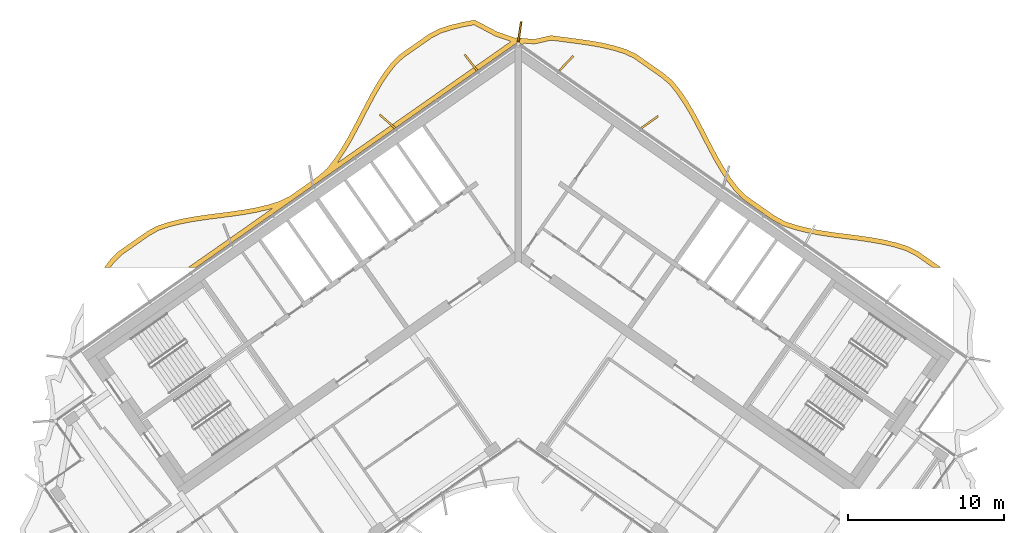
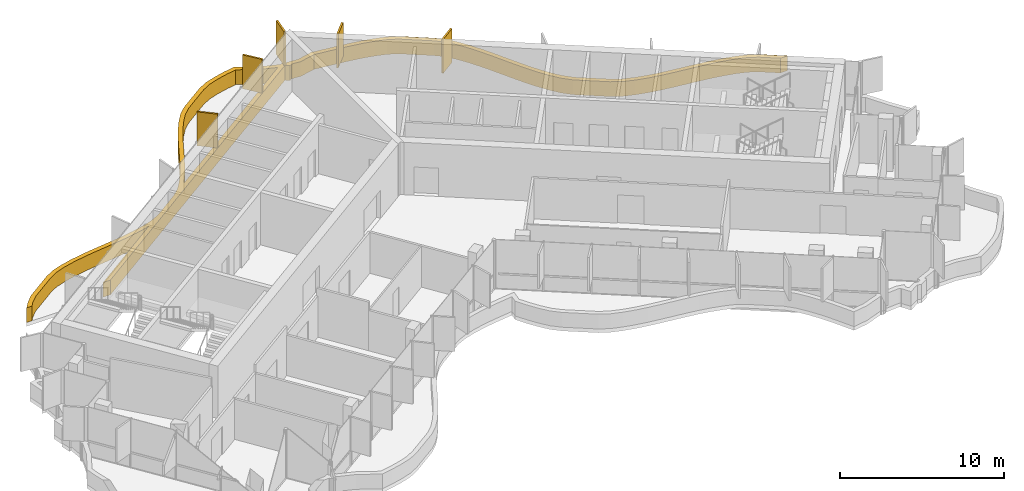
# One storey, part 18 of 18: 6 shading devices.
"""IFC4 building model written with IfcOpenShell, lengths in metres."""

from ifc_helpers import new_model, si_unit, direction, frame, origin, origin_2d, place, context, subcontext, project, spatial, polyline, rectangle, outline, extrude, material, layer, layer_set, type_object, element, save


model = new_model("IFC4")

# Units and contexts
model_context = context("Model", 3, precision=1e-05, world=origin(), true_north=direction((0.0, 1.0)))
body_context = subcontext(model_context, "Body", "Model", "MODEL_VIEW")
ifc_project = project(units=[si_unit("LENGTHUNIT", "METRE"), si_unit("AREAUNIT", "SQUARE_METRE"), si_unit("VOLUMEUNIT", "CUBIC_METRE"), si_unit("PLANEANGLEUNIT", "RADIAN"), si_unit("MASSUNIT", "GRAM", prefix="KILO")], contexts=[model_context])

# Site, building, storey
site_placement = place(None, origin())
site = spatial("IfcSite", under=ifc_project, at=site_placement, CompositionType="ELEMENT")
building_placement = place(site_placement, origin())
building = spatial("IfcBuilding", under=site, at=building_placement, Name="Tel Ilan Convention Tower", CompositionType="ELEMENT")
storey_placement = place(building_placement, frame((0.0, 0.0, 299.5)))
storey = spatial("IfcBuildingStorey", under=building, at=storey_placement, Name="L71", CompositionType="ELEMENT", Elevation=299.5)

# Shading devices
ifc_material_1 = material(Name="Aluminium, bronze anodised", Category="aluminium")
ifc_layer_1 = layer(ifc_material_1, 0.1201171875)
ifc_layer_set_1 = layer_set([ifc_layer_1], Name="FIN BRONZE 1300x120")
shading_device_type_1 = type_object("IfcShadingDeviceType", Name="FIN BRONZE 1300x120", PredefinedType="USERDEFINED", material=ifc_layer_set_1)
for number, where, z_axis, x_axis, name in (
    (1, (8.437744140625, 7.681884765625, 1.10009765625), (0.0, 0.0, 1.0), (0.813552070258, 0.581492071294, 0.0), "FIN"),
    (2, (3.08349609375, 11.454345703125, 1.10009765625), (0.0, 0.0, 1.0), (0.686241637865, 0.727373641577, 0.0), "FIN"),
    (3, (0.09423828125, 13.469482421875, 1.10009765625), (0.0, 0.0, 1.0), (0.144931859301, 0.989441638582, 0.0), "FIN"),
    (4, (-3.0322265625, 11.490478515625, 1.10009765625), (0.0, 0.0, 1.0), (-0.612600545196, 0.790392669516, 0.0), "FIN"),
    (5, (-8.3955078125, 7.726806640625, 1.10009765625), (0.0, 0.0, 1.0), (-0.753435896329, 0.657521368568, 0.0), "FIN"),
):
    element("IfcShadingDevice", number, at=place(storey_placement, frame(where, z_axis=z_axis, x_axis=x_axis)), inside=storey, type_object=shading_device_type_1, Name=name, ObjectType="FIN", PredefinedType="USERDEFINED", context=body_context, shape_type="SweptSolid", body=[
        extrude(rectangle(XDim=1.300048828125, YDim=0.1201171875, at=origin_2d()), origin(), (0.0, 0.0, 1.0), 2.52001953125),
    ])
ifc_material_2 = material(Name="Aluminium, bronze anodised", Category="aluminium")
ifc_layer_2 = layer(ifc_material_2, 0.300048828125)
ifc_layer_set_2 = layer_set([ifc_layer_2], Name="LOUVRE BAND 300x1100")
shading_device_type_2 = type_object("IfcShadingDeviceType", Name="LOUVRE BAND 300x1100", PredefinedType="USERDEFINED", material=ifc_layer_set_2)
shading_device_placement = place(storey_placement, origin())
element("IfcShadingDevice", 6, at=shading_device_placement, inside=storey, type_object=shading_device_type_2, Name="LOUVRE BAND 54.02", ObjectType="LOUVRE", PredefinedType="USERDEFINED", context=body_context, shape_type="SweptSolid", body=[
    extrude(outline(polyline([(-26.1787109375, -1.1572265625), (-26.535888671875, -1.631591796875), (-26.160400390625, -1.631591796875), (-25.951416015625, -1.35400390625), (-25.457275390625, -0.856689453125), (-23.680908203125, 0.38720703125), (-23.075439453125, 0.7314453125), (-22.38525390625, 0.962158203125), (-21.640625, 1.14990234375), (-20.86181640625, 1.298828125), (-20.0576171875, 1.420166015625), (-18.409423828125, 1.63232421875), (-17.585205078125, 1.750732421875), (-16.773193359375, 1.89599609375), (-15.982666015625, 2.081298828125), (-15.75634765625, 2.151611328125), (-21.159423828125, -1.631591796875), (-20.63623046875, -1.631591796875), (0.0, 12.818115234375), (0.261474609375, 12.635009765625), (0.4140625, 12.741943359375), (1.040771484375, 12.687744140625), (2.10400390625, 12.9296875), (3.699462890625, 12.72509765625), (4.510009765625, 12.60986328125), (5.2978515625, 12.47119140625), (6.054443359375, 12.297119140625), (6.765625, 12.080078125), (7.40185546875, 11.785888671875), (9.17822265625, 10.5419921875), (9.708740234375, 10.0908203125), (10.16162109375, 9.521240234375), (10.5927734375, 8.885498046875), (10.9990234375, 8.204833984375), (11.38818359375, 7.49072265625), (12.151123046875, 6.014404296875), (12.54443359375, 5.2802734375), (12.958740234375, 4.567138671875), (13.403076171875, 3.8876953125), (13.891357421875, 3.245849609375), (14.459716796875, 2.693359375), (16.302978515625, 1.40283203125), (16.991455078125, 1.02587890625), (17.759521484375, 0.773681640625), (18.544921875, 0.579345703125), (19.353271484375, 0.42724609375), (20.176025390625, 0.3046875), (21.826416015625, 0.092529296875), (22.634765625, -0.025146484375), (23.4189453125, -0.167724609375), (24.1708984375, -0.34716796875), (24.873291015625, -0.569580078125), (25.496826171875, -0.88427734375), (26.56396484375, -1.631591796875), (27.087158203125, -1.631591796875), (25.6513671875, -0.626220703125), (24.987060546875, -0.290771484375), (24.2509765625, -0.057861328125), (23.480712890625, 0.1259765625), (22.68310546875, 0.27099609375), (21.8671875, 0.3896484375), (20.21728515625, 0.601806640625), (19.4033203125, 0.72314453125), (18.60888671875, 0.87255859375), (17.842529296875, 1.062255859375), (17.111328125, 1.30224609375), (16.46142578125, 1.657958984375), (14.6513671875, 2.92529296875), (14.116455078125, 3.4453125), (13.648193359375, 4.060791015625), (13.214111328125, 4.724609375), (12.806396484375, 5.426513671875), (12.416748046875, 6.154052734375), (11.653076171875, 7.631591796875), (11.259521484375, 8.353515625), (10.845947265625, 9.046875), (10.403564453125, 9.69921875), (9.925537109375, 10.300537109375), (9.36181640625, 10.77978515625), (7.552001953125, 12.047119140625), (6.872802734375, 12.361083984375), (6.132080078125, 12.587158203125), (5.357666015625, 12.765380859375), (4.55712890625, 12.90625), (3.739501953125, 13.0224609375), (2.08935546875, 13.234130859375), (1.02001953125, 12.99072265625), (0.168701171875, 13.059326171875), (0.11474609375, 13.09521484375), (0.0, 13.1181640625), (-0.11474609375, 13.09521484375), (-0.168701171875, 13.059326171875), (-1.357666015625, 13.472900390625), (-2.785888671875, 14.228515625), (-3.5830078125, 14.083251953125), (-4.3515625, 13.896484375), (-5.0849609375, 13.66015625), (-5.7421875, 13.314453125), (-7.552001953125, 12.047119140625), (-8.09423828125, 11.53759765625), (-8.56494140625, 10.925537109375), (-9.001220703125, 10.264404296875), (-9.410400390625, 9.564697265625), (-9.801025390625, 8.838623046875), (-10.564453125, 7.36083984375), (-10.95703125, 6.63720703125), (-11.369140625, 5.94189453125), (-11.809326171875, 5.28662109375), (-12.284912109375, 4.681640625), (-12.841552734375, 4.192626953125), (-14.6513671875, 2.92529296875), (-15.3232421875, 2.6005859375), (-16.0615234375, 2.370849609375), (-16.833984375, 2.18994140625), (-17.6328125, 2.046875), (-18.44970703125, 1.9296875), (-20.099365234375, 1.71728515625), (-20.91259765625, 1.594482421875), (-21.705322265625, 1.44287109375), (-22.4697265625, 1.250244140625), (-23.1982421875, 1.0068359375), (-23.84130859375, 0.64111328125), (-25.6513671875, -0.626220703125), (-26.1787109375, -1.1572265625)]), holes=[polyline([(-11.609619140625, 5.05517578125), (-11.115234375, 5.78173828125), (-10.696044921875, 6.4892578125), (-10.29931640625, 7.220458984375), (-9.535400390625, 8.69873046875), (-9.148681640625, 9.41796875), (-8.746337890625, 10.106201171875), (-8.320556640625, 10.751220703125), (-7.871337890625, 11.33544921875), (-7.3623046875, 11.813720703125), (-5.585693359375, 13.0576171875), (-4.96826171875, 13.382568359375), (-4.27001953125, 13.607666015625), (-3.520751953125, 13.78955078125), (-2.834228515625, 13.914794921875), (-1.477294921875, 13.19677734375), (-0.4755859375, 12.851318359375), (-11.609619140625, 5.05517578125)])]), origin(), (0.0, 0.0, 1.0), 1.10009765625),
])

save(model, "model.ifc")
